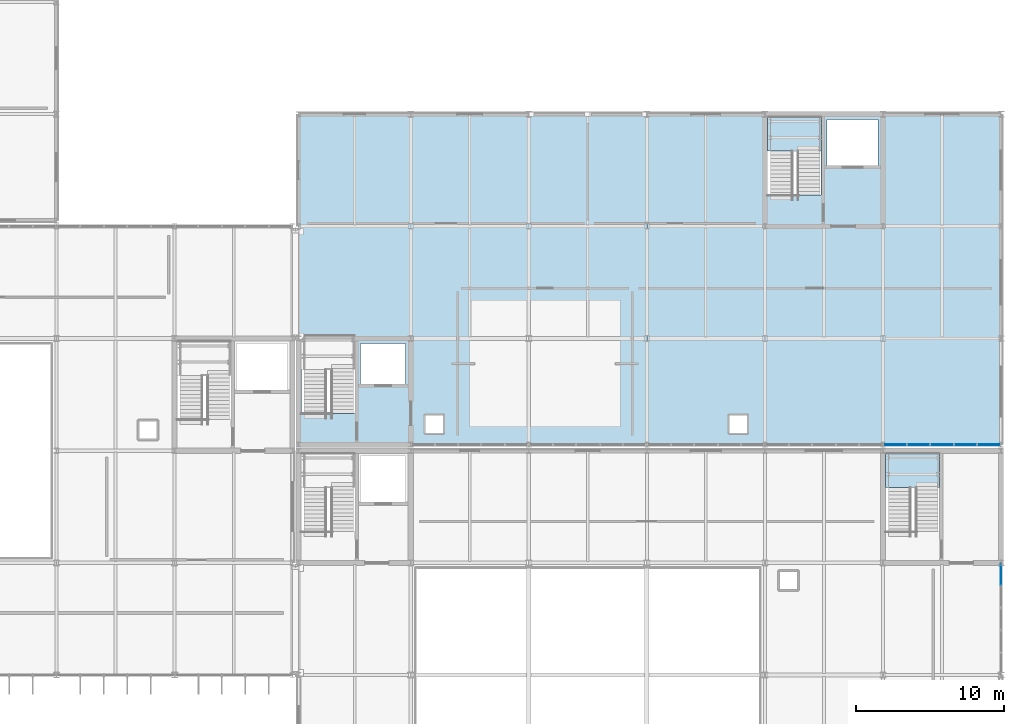
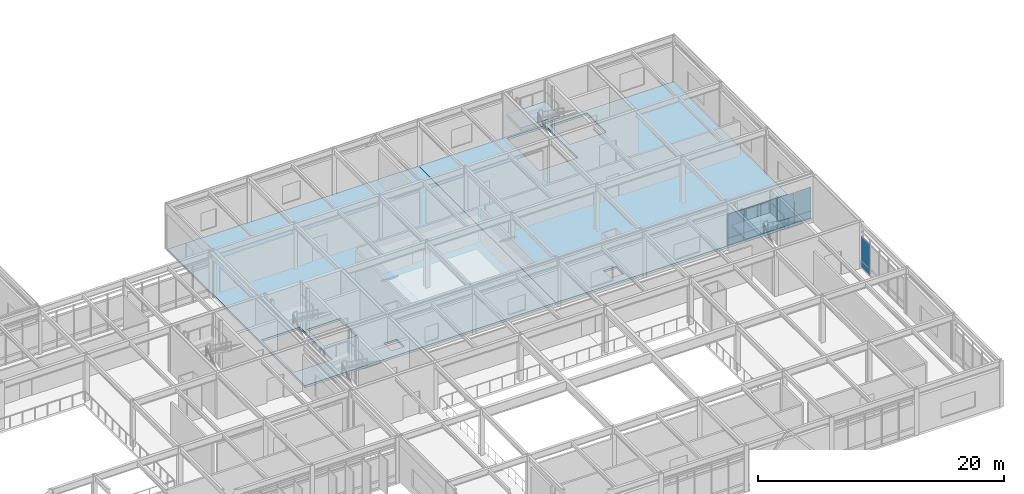
# One storey, part 76 of 104: 12 plates, 4 slabs, 4 elements without a shape of their own.
"""IFC4 building model written with IfcOpenShell, lengths in metres."""

from ifc_helpers import new_model, si_unit, direction, frame, origin, origin_2d, place, context, subcontext, project, spatial, polyline, rectangle, outline, extrude, material, layer, layer_set, type_object, element, aggregate, save


model = new_model("IFC4")

# Units and contexts
model_context = context("Model", 3, precision=1e-05, world=origin(), true_north=direction((0.0, 1.0)))
body_context = subcontext(model_context, "Body", "Model", "MODEL_VIEW")
ifc_project = project(units=[si_unit("LENGTHUNIT", "METRE"), si_unit("AREAUNIT", "SQUARE_METRE"), si_unit("VOLUMEUNIT", "CUBIC_METRE"), si_unit("PLANEANGLEUNIT", "RADIAN"), si_unit("MASSUNIT", "GRAM", prefix="KILO")], contexts=[model_context])

# Site, building, storey
site_placement = place(None, origin())
site = spatial("IfcSite", under=ifc_project, at=site_placement, CompositionType="ELEMENT")
building_placement = place(site_placement, origin())
building = spatial("IfcBuilding", under=site, at=building_placement, Name="Zulena Civic Courthouse", CompositionType="ELEMENT")
storey_placement = place(building_placement, frame((0.0, 0.0, 10.800048828125)))
storey = spatial("IfcBuildingStorey", under=building, at=storey_placement, Name="L02", CompositionType="ELEMENT", Elevation=10.800048828125)

# Curtain wall, plate
ifc_material_1 = material(Name="Double-silver low-E laminated solar-control glass", Category="glass")
curtain_wall_type_1 = type_object("IfcCurtainWallType", Name="CW_7540x3690", PredefinedType="USERDEFINED", material=ifc_material_1)
curtain_wall_1_placement = place(storey_placement, origin())
curtain_wall_1 = element("IfcCurtainWall", 1, at=curtain_wall_1_placement, inside=storey, type_object=curtain_wall_type_1, Name="cw:V1:L02:2:1", ObjectType="UNITISED CURTAIN WALL", PredefinedType="USERDEFINED")
ifc_material_2 = material(Name="Ceramic-fritted insulated spandrel glass", Category="glass")
ifc_layer_1 = layer(ifc_material_2, 0.0458984375)
ifc_layer_set_1 = layer_set([ifc_layer_1], Name="Ceramic-fritted insulated spandrel glass")
plate_type_1 = type_object("IfcPlateType", Name="CWPanel_Spandrel_46", PredefinedType="CURTAIN_PANEL", material=ifc_layer_set_1)
plate_1_placement = place(storey_placement, frame((172.0, 22.01611328125, 0.070068359375), z_axis=(0.0, 0.0, 1.0), x_axis=(0.0, -1.0, 0.0)))
plate_1 = element("IfcPlate", 2, at=plate_1_placement, type_object=plate_type_1, Name="cw:V1:L02:2:1:panS:0", PredefinedType="CURTAIN_PANEL", context=body_context, shape_type="SweptSolid", body=[
    extrude(rectangle(XDim=1.4580078125, YDim=0.0458984375, at=origin_2d()), origin(), (0.0, 0.0, 1.0), 0.669921875),
])

# Curtain wall, plates
curtain_wall_type_2 = type_object("IfcCurtainWallType", Name="CW_7940x3690", PredefinedType="USERDEFINED", material=ifc_material_1)
curtain_wall_2_placement = place(storey_placement, origin())
curtain_wall_2 = element("IfcCurtainWall", 3, at=curtain_wall_2_placement, inside=storey, type_object=curtain_wall_type_2, Name="cw:V3:L02:3:0", ObjectType="UNITISED CURTAIN WALL", PredefinedType="USERDEFINED")
plate_2_placement = place(storey_placement, frame((171.176025390625, 30.800048828125, 0.070068359375), z_axis=(0.0, 0.0, 1.0), x_axis=(-1.0, 0.0, 0.0)))
plate_2 = element("IfcPlate", 4, at=plate_2_placement, type_object=plate_type_1, Name="cw:V3:L02:3:0:panS:0", PredefinedType="CURTAIN_PANEL", context=body_context, shape_type="SweptSolid", body=[
    extrude(rectangle(XDim=1.5380859375, YDim=0.0458984375, at=origin_2d()), origin(), (0.0, 0.0, 1.0), 0.669921875),
])
plate_3_placement = place(storey_placement, frame((169.587890625, 30.800048828125, 0.070068359375), z_axis=(0.0, 0.0, 1.0), x_axis=(-1.0, 0.0, 0.0)))
plate_3 = element("IfcPlate", 5, at=plate_3_placement, type_object=plate_type_1, Name="cw:V3:L02:3:0:panS:1", PredefinedType="CURTAIN_PANEL", context=body_context, shape_type="SweptSolid", body=[
    extrude(rectangle(XDim=1.5380859375, YDim=0.0458984375, at=origin_2d()), origin(), (0.0, 0.0, 1.0), 0.669921875),
])
plate_4_placement = place(storey_placement, frame((168.0, 30.800048828125, 0.070068359375), z_axis=(0.0, 0.0, 1.0), x_axis=(-1.0, 0.0, 0.0)))
plate_4 = element("IfcPlate", 6, at=plate_4_placement, type_object=plate_type_1, Name="cw:V3:L02:3:0:panS:2", PredefinedType="CURTAIN_PANEL", context=body_context, shape_type="SweptSolid", body=[
    extrude(rectangle(XDim=1.5380859375, YDim=0.0458984375, at=origin_2d()), origin(), (0.0, 0.0, 1.0), 0.669921875),
])
plate_5_placement = place(storey_placement, frame((166.412109375, 30.800048828125, 0.070068359375), z_axis=(0.0, 0.0, 1.0), x_axis=(-1.0, 0.0, 0.0)))
plate_5 = element("IfcPlate", 7, at=plate_5_placement, type_object=plate_type_1, Name="cw:V3:L02:3:0:panS:3", PredefinedType="CURTAIN_PANEL", context=body_context, shape_type="SweptSolid", body=[
    extrude(rectangle(XDim=1.5380859375, YDim=0.0458984375, at=origin_2d()), origin(), (0.0, 0.0, 1.0), 0.669921875),
])
plate_6_placement = place(storey_placement, frame((164.823974609375, 30.800048828125, 0.070068359375), z_axis=(0.0, 0.0, 1.0), x_axis=(-1.0, 0.0, 0.0)))
plate_6 = element("IfcPlate", 8, at=plate_6_placement, type_object=plate_type_1, Name="cw:V3:L02:3:0:panS:4", PredefinedType="CURTAIN_PANEL", context=body_context, shape_type="SweptSolid", body=[
    extrude(rectangle(XDim=1.5380859375, YDim=0.0458984375, at=origin_2d()), origin(), (0.0, 0.0, 1.0), 0.669921875),
])

# Plate
ifc_layer_2 = layer(ifc_material_1, 0.035888671875)
ifc_layer_set_2 = layer_set([ifc_layer_2], Name="Double-silver low-E laminated solar-control glass")
plate_type_2 = type_object("IfcPlateType", Name="CWPanel_Vision_36", PredefinedType="CURTAIN_PANEL", material=ifc_layer_set_2)
plate_7_placement = place(storey_placement, frame((172.0, 22.01611328125, 0.760009765625), z_axis=(0.0, 0.0, 1.0), x_axis=(0.0, -1.0, 0.0)))
plate_7 = element("IfcPlate", 9, at=plate_7_placement, type_object=plate_type_2, Name="cw:V1:L02:2:1:panV:0", PredefinedType="CURTAIN_PANEL", context=body_context, shape_type="SweptSolid", body=[
    extrude(rectangle(XDim=1.4580078125, YDim=0.035888671875, at=origin_2d()), origin(), (0.0, 0.0, 1.0), 2.3701171875),
])

aggregate(curtain_wall_1, [plate_7, plate_1])

plate_8_placement = place(storey_placement, frame((171.176025390625, 30.800048828125, 0.760009765625), z_axis=(0.0, 0.0, 1.0), x_axis=(-1.0, 0.0, 0.0)))
plate_8 = element("IfcPlate", 10, at=plate_8_placement, type_object=plate_type_2, Name="cw:V3:L02:3:0:panV:0", PredefinedType="CURTAIN_PANEL", context=body_context, shape_type="SweptSolid", body=[
    extrude(rectangle(XDim=1.5380859375, YDim=0.035888671875, at=origin_2d()), origin(), (0.0, 0.0, 1.0), 2.3701171875),
])

plate_9_placement = place(storey_placement, frame((169.587890625, 30.800048828125, 0.760009765625), z_axis=(0.0, 0.0, 1.0), x_axis=(-1.0, 0.0, 0.0)))
plate_9 = element("IfcPlate", 11, at=plate_9_placement, type_object=plate_type_2, Name="cw:V3:L02:3:0:panV:1", PredefinedType="CURTAIN_PANEL", context=body_context, shape_type="SweptSolid", body=[
    extrude(rectangle(XDim=1.5380859375, YDim=0.035888671875, at=origin_2d()), origin(), (0.0, 0.0, 1.0), 2.3701171875),
])

plate_10_placement = place(storey_placement, frame((168.0, 30.800048828125, 0.760009765625), z_axis=(0.0, 0.0, 1.0), x_axis=(-1.0, 0.0, 0.0)))
plate_10 = element("IfcPlate", 12, at=plate_10_placement, type_object=plate_type_2, Name="cw:V3:L02:3:0:panV:2", PredefinedType="CURTAIN_PANEL", context=body_context, shape_type="SweptSolid", body=[
    extrude(rectangle(XDim=1.5380859375, YDim=0.035888671875, at=origin_2d()), origin(), (0.0, 0.0, 1.0), 2.3701171875),
])

plate_11_placement = place(storey_placement, frame((166.412109375, 30.800048828125, 0.760009765625), z_axis=(0.0, 0.0, 1.0), x_axis=(-1.0, 0.0, 0.0)))
plate_11 = element("IfcPlate", 13, at=plate_11_placement, type_object=plate_type_2, Name="cw:V3:L02:3:0:panV:3", PredefinedType="CURTAIN_PANEL", context=body_context, shape_type="SweptSolid", body=[
    extrude(rectangle(XDim=1.5380859375, YDim=0.035888671875, at=origin_2d()), origin(), (0.0, 0.0, 1.0), 2.3701171875),
])

plate_12_placement = place(storey_placement, frame((164.823974609375, 30.800048828125, 0.760009765625), z_axis=(0.0, 0.0, 1.0), x_axis=(-1.0, 0.0, 0.0)))
plate_12 = element("IfcPlate", 14, at=plate_12_placement, type_object=plate_type_2, Name="cw:V3:L02:3:0:panV:4", PredefinedType="CURTAIN_PANEL", context=body_context, shape_type="SweptSolid", body=[
    extrude(rectangle(XDim=1.5380859375, YDim=0.035888671875, at=origin_2d()), origin(), (0.0, 0.0, 1.0), 2.3701171875),
])

aggregate(curtain_wall_2, [plate_8, plate_2, plate_9, plate_3, plate_10, plate_4, plate_11, plate_5, plate_12, plate_6])

# Slabs
ifc_material_3 = material(Name="Concrete C35/45", Category="concrete")
ifc_layer_3 = layer(ifc_material_3, 0.215087890625)
ifc_layer_set_3 = layer_set([ifc_layer_3], Name="Concrete C35/45")
slab_type_1 = type_object("IfcSlabType", Name="FloorSlab_215", PredefinedType="FLOOR", material=ifc_layer_set_3)
slab_1_placement = place(storey_placement, frame((0.0, 0.0, -0.215087890625)))
element("IfcSlab", 15, at=slab_1_placement, inside=storey, type_object=slab_type_1, Name="slab:V3:L02_1", PredefinedType="FLOOR", context=body_context, shape_type="SweptSolid", body=[
    extrude(outline(polyline([(124.39990234375, 30.800048828125), (124.39990234375, 53.199951171875), (148.0, 53.199951171875), (148.0, 30.800048828125), (124.39990234375, 30.800048828125)]), holes=[polyline([(124.590087890625, 38.2099609375), (124.590087890625, 32.919921875), (128.2099609375, 32.919921875), (128.2099609375, 38.2099609375), (124.590087890625, 38.2099609375)]), polyline([(131.64990234375, 37.64990234375), (128.60009765625, 37.64990234375), (128.60009765625, 34.89990234375), (131.64990234375, 34.89990234375), (131.64990234375, 37.64990234375)]), polyline([(133.0, 32.800048828125), (133.0, 31.60009765625), (134.199951171875, 31.60009765625), (134.199951171875, 32.800048828125), (133.0, 32.800048828125)])]), origin(), (0.0, 0.0, 1.0), 0.215087890625),
])
slab_2_placement = place(storey_placement, frame((0.0, 0.0, -0.215087890625)))
element("IfcSlab", 16, at=slab_2_placement, inside=storey, type_object=slab_type_1, Name="slab:V3:L02_2", PredefinedType="FLOOR", context=body_context, shape_type="SweptSolid", body=[
    extrude(outline(polyline([(172.0, 30.800048828125), (148.0, 30.800048828125), (148.0, 53.199951171875), (172.0, 53.199951171875), (172.0, 30.800048828125)]), holes=[polyline([(159.81005859375, 47.719970703125), (159.81005859375, 53.010009765625), (156.18994140625, 53.010009765625), (156.18994140625, 47.719970703125), (159.81005859375, 47.719970703125)]), polyline([(160.199951171875, 49.699951171875), (163.64990234375, 49.699951171875), (163.64990234375, 52.85009765625), (160.199951171875, 52.85009765625), (160.199951171875, 49.699951171875)]), polyline([(154.800048828125, 32.800048828125), (153.60009765625, 32.800048828125), (153.60009765625, 31.60009765625), (154.800048828125, 31.60009765625), (154.800048828125, 32.800048828125)])]), origin(), (0.0, 0.0, 1.0), 0.215087890625),
])

# Stair, slab
ifc_material_4 = material(Name="Precast concrete C40/50", Category="concrete")
stair_type = type_object("IfcStairType", Name="HalfTurnStair_4800", PredefinedType="HALF_TURN_STAIR", material=ifc_material_4)
stair_1_placement = place(storey_placement, origin())
stair_1 = element("IfcStair", 17, at=stair_1_placement, inside=storey, type_object=stair_type, Name="stair:K1B:L02", PredefinedType="HALF_TURN_STAIR")
ifc_layer_4 = layer(ifc_material_4, 0.280029296875)
ifc_layer_set_4 = layer_set([ifc_layer_4], Name="Precast concrete C40/50")
slab_type_2 = type_object("IfcSlabType", Name="StairLandingSlab_280", PredefinedType="LANDING", material=ifc_layer_set_4)
slab_3_placement = place(storey_placement, frame((0.0, 0.0, 2.119873046875)))
slab_3 = element("IfcSlab", 18, at=slab_3_placement, type_object=slab_type_2, Name="stair:K1B:L02:LND", PredefinedType="LANDING", context=body_context, shape_type="SweptSolid", body=[
    extrude(outline(polyline([(164.179931640625, 27.89453125), (167.820068359375, 27.89453125), (167.820068359375, 30.219970703125), (164.179931640625, 30.219970703125), (164.179931640625, 27.89453125)])), origin(), (0.0, 0.0, 1.0), 0.280029296875),
])
aggregate(stair_1, [slab_3])

stair_2_placement = place(storey_placement, origin())
stair_2 = element("IfcStair", 19, at=stair_2_placement, inside=storey, type_object=stair_type, Name="stair:K3B:L02", PredefinedType="HALF_TURN_STAIR")
slab_4_placement = place(storey_placement, frame((0.0, 0.0, 2.119873046875)))
slab_4 = element("IfcSlab", 20, at=slab_4_placement, type_object=slab_type_2, Name="stair:K3B:L02:LND", PredefinedType="LANDING", context=body_context, shape_type="SweptSolid", body=[
    extrude(outline(polyline([(156.179931640625, 50.694580078125), (159.820068359375, 50.694580078125), (159.820068359375, 53.02001953125), (156.179931640625, 53.02001953125), (156.179931640625, 50.694580078125)])), origin(), (0.0, 0.0, 1.0), 0.280029296875),
])
aggregate(stair_2, [slab_4])

save(model, "model.ifc")
